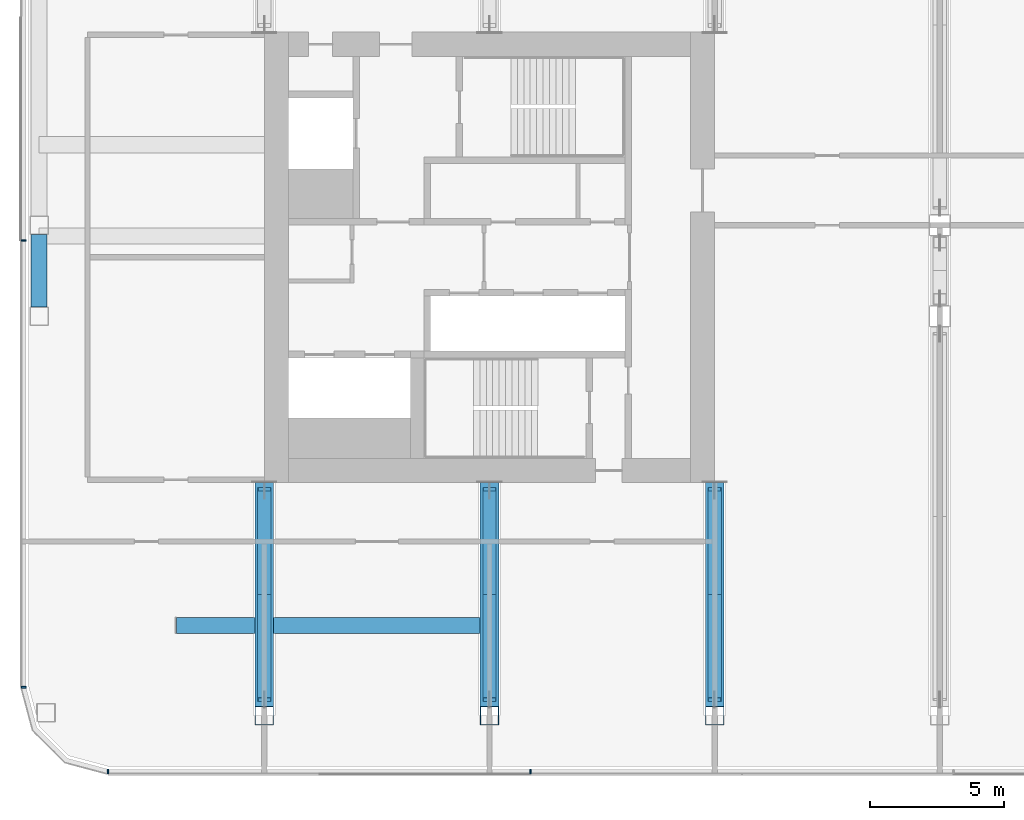
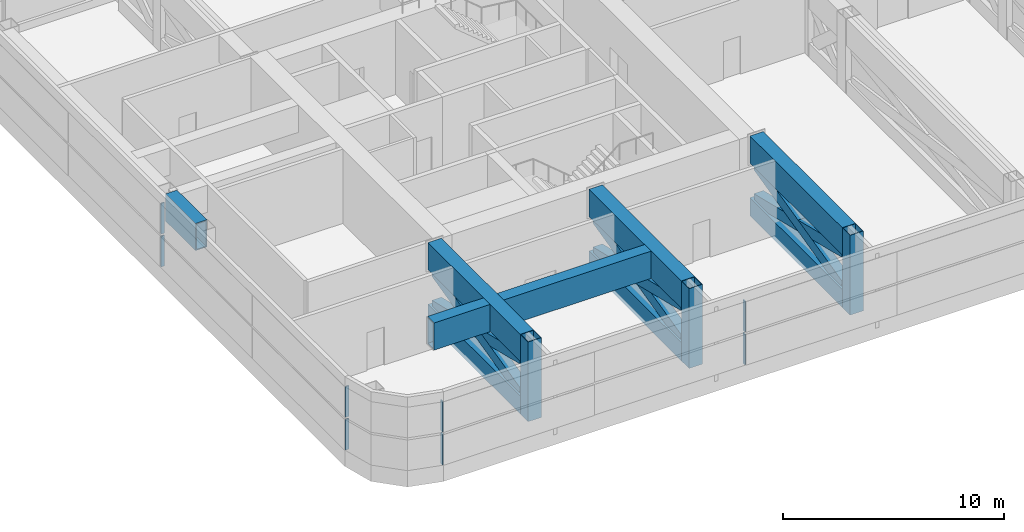
# One storey, part 2 of 33: 23 members, 2 beams, 2 elements without a shape of their own.
"""IFC4 building model written with IfcOpenShell, lengths in metres."""

from ifc_helpers import new_model, si_unit, direction, frame, origin, origin_2d, place, context, subcontext, project, spatial, rectangle, hollow_rectangle, extrude, material, layer, layer_set, material_profile, profile_set, type_object, element, aggregate, save


model = new_model("IFC4")

# Units and contexts
model_context = context("Model", 3, precision=1e-05, world=origin(), true_north=direction((0.0, 1.0)))
body_context = subcontext(model_context, "Body", "Model", "MODEL_VIEW")
ifc_project = project(units=[si_unit("LENGTHUNIT", "METRE"), si_unit("AREAUNIT", "SQUARE_METRE"), si_unit("VOLUMEUNIT", "CUBIC_METRE"), si_unit("PLANEANGLEUNIT", "RADIAN"), si_unit("MASSUNIT", "GRAM", prefix="KILO")], contexts=[model_context])

# Site, building, storey
site_placement = place(None, origin())
site = spatial("IfcSite", under=ifc_project, at=site_placement, CompositionType="ELEMENT")
building_placement = place(site_placement, origin())
building = spatial("IfcBuilding", under=site, at=building_placement, Name="Hakoniwa Tower and Hamabe Station Hall", CompositionType="ELEMENT")
storey_placement = place(building_placement, frame((0.0, 0.0, 175.800048828125)))
storey = spatial("IfcBuildingStorey", under=building, at=storey_placement, Name="L50", CompositionType="ELEMENT", Elevation=175.800048828125)

# Curtain wall, members
ifc_material_1 = material(Name="Dark low-e laminated glass", Category="glass")
ifc_layer = layer(ifc_material_1, 0.199951171875)
ifc_layer_set = layer_set([ifc_layer], Name="CW-6 PLANT LOUVRE")
curtain_wall_type = type_object("IfcCurtainWallType", Name="CW-6 PLANT LOUVRE", PredefinedType="NOTDEFINED", material=ifc_layer_set)
curtain_wall_1_placement = place(storey_placement, origin())
curtain_wall_1 = element("IfcCurtainWall", 1, at=curtain_wall_1_placement, inside=storey, type_object=curtain_wall_type, Name="CW-6 curtain wall", PredefinedType="NOTDEFINED")
ifc_material_2 = material(Name="Aluminium 6063-T5 black anodised", Category="aluminium")
ifc_material_profile_1 = material_profile(ifc_material_2, rectangle(XDim=0.06005859375, YDim=0.179931640625, at=origin_2d()), Name="CW-1 MULLION 60X180")
ifc_profile_set_1 = profile_set([ifc_material_profile_1], Name="Aluminium 6063-T5 black anodised")
member_type_1 = type_object("IfcMemberType", Name="CW-1 MULLION 60X180", PredefinedType="MULLION", material=ifc_profile_set_1)
member_1_placement = place(storey_placement, frame((-42.58203125, 0.625, 0.349853515625), z_axis=(0.0, 0.0, 1.0), x_axis=(0.0, -1.0, 0.0)))
member_1 = element("IfcMember", 2, at=member_1_placement, type_object=member_type_1, Name="CW-6 mullion", PredefinedType="MULLION", context=body_context, shape_type="SweptSolid", body=[
    extrude(rectangle(XDim=0.06005859375, YDim=0.179931640625, at=origin_2d()), origin(), (0.0, 0.0, 1.0), 1.690185546875),
])
member_2_placement = place(storey_placement, frame((-42.58203125, 0.625, 2.159912109375), z_axis=(0.0, 0.0, 1.0), x_axis=(0.0, -1.0, 0.0)))
member_2 = element("IfcMember", 3, at=member_2_placement, type_object=member_type_1, Name="CW-6 mullion", PredefinedType="MULLION", context=body_context, shape_type="SweptSolid", body=[
    extrude(rectangle(XDim=0.06005859375, YDim=0.179931640625, at=origin_2d()), origin(), (0.0, 0.0, 1.0), 1.68994140625),
])
member_3_placement = place(storey_placement, frame((-42.58203125, -16.03955078125, 0.349853515625), z_axis=(0.0, 0.0, 1.0), x_axis=(0.0, -1.0, 0.0)))
member_3 = element("IfcMember", 4, at=member_3_placement, type_object=member_type_1, Name="CW-6 mullion", PredefinedType="MULLION", context=body_context, shape_type="SweptSolid", body=[
    extrude(rectangle(XDim=0.06005859375, YDim=0.179931640625, at=origin_2d()), origin(), (0.0, 0.0, 1.0), 1.690185546875),
])
member_4_placement = place(storey_placement, frame((-42.58203125, -16.03955078125, 2.159912109375), z_axis=(0.0, 0.0, 1.0), x_axis=(0.0, -1.0, 0.0)))
member_4 = element("IfcMember", 5, at=member_4_placement, type_object=member_type_1, Name="CW-6 mullion", PredefinedType="MULLION", context=body_context, shape_type="SweptSolid", body=[
    extrude(rectangle(XDim=0.06005859375, YDim=0.179931640625, at=origin_2d()), origin(), (0.0, 0.0, 1.0), 1.68994140625),
])
aggregate(curtain_wall_1, [member_1, member_2, member_3, member_4])

curtain_wall_2_placement = place(storey_placement, origin())
curtain_wall_2 = element("IfcCurtainWall", 6, at=curtain_wall_2_placement, inside=storey, type_object=curtain_wall_type, Name="CW-6 curtain wall", PredefinedType="NOTDEFINED")
member_5_placement = place(storey_placement, frame((-39.439453125, -19.181884765625, 0.349853515625), z_axis=(0.0, 0.0, 1.0), x_axis=(1.0, 0.0, 0.0)))
member_5 = element("IfcMember", 7, at=member_5_placement, type_object=member_type_1, Name="CW-6 mullion", PredefinedType="MULLION", context=body_context, shape_type="SweptSolid", body=[
    extrude(rectangle(XDim=0.06005859375, YDim=0.179931640625, at=origin_2d()), origin(), (0.0, 0.0, 1.0), 1.690185546875),
])
member_6_placement = place(storey_placement, frame((-39.439453125, -19.181884765625, 2.159912109375), z_axis=(0.0, 0.0, 1.0), x_axis=(1.0, 0.0, 0.0)))
member_6 = element("IfcMember", 8, at=member_6_placement, type_object=member_type_1, Name="CW-6 mullion", PredefinedType="MULLION", context=body_context, shape_type="SweptSolid", body=[
    extrude(rectangle(XDim=0.06005859375, YDim=0.179931640625, at=origin_2d()), origin(), (0.0, 0.0, 1.0), 1.68994140625),
])
member_7_placement = place(storey_placement, frame((-23.663818359375, -19.181884765625, 0.349853515625), z_axis=(0.0, 0.0, 1.0), x_axis=(1.0, 0.0, 0.0)))
member_7 = element("IfcMember", 9, at=member_7_placement, type_object=member_type_1, Name="CW-6 mullion", PredefinedType="MULLION", context=body_context, shape_type="SweptSolid", body=[
    extrude(rectangle(XDim=0.06005859375, YDim=0.179931640625, at=origin_2d()), origin(), (0.0, 0.0, 1.0), 1.690185546875),
])
member_8_placement = place(storey_placement, frame((-23.663818359375, -19.181884765625, 2.159912109375), z_axis=(0.0, 0.0, 1.0), x_axis=(1.0, 0.0, 0.0)))
member_8 = element("IfcMember", 10, at=member_8_placement, type_object=member_type_1, Name="CW-6 mullion", PredefinedType="MULLION", context=body_context, shape_type="SweptSolid", body=[
    extrude(rectangle(XDim=0.06005859375, YDim=0.179931640625, at=origin_2d()), origin(), (0.0, 0.0, 1.0), 1.68994140625),
])
aggregate(curtain_wall_2, [member_5, member_6, member_7, member_8])

# Beams
ifc_material_3 = material(Name="Steel SN490C", Category="steel")
ifc_material_profile_2 = material_profile(ifc_material_3, hollow_rectangle(XDim=0.60009765625, YDim=1.5, WallThickness=0.054931640625, at=origin_2d()), Name="BX-1500x600x55")
ifc_profile_set_2 = profile_set([ifc_material_profile_2], Name="Steel SN490C")
beam_type = type_object("IfcBeamType", Name="TRANSFER GIRDER BX-1500x600x55", PredefinedType="BEAM", material=ifc_profile_set_2)
beam_1_placement = place(storey_placement, frame((-36.8779296875, -13.72802734375, 3.349853515625), z_axis=(1.0, 0.0, 0.0), x_axis=(0.0, 1.0, 0.0)))
element("IfcBeam", 11, at=beam_1_placement, inside=storey, type_object=beam_type, Name="Truss L50-XG1", PredefinedType="BEAM", context=body_context, shape_type="SweptSolid", body=[
    extrude(hollow_rectangle(XDim=0.60009765625, YDim=1.5, WallThickness=0.054931640625, at=origin_2d()), origin(), (0.0, 0.0, 1.0), 11.677978515625),
])
beam_2_placement = place(storey_placement, frame((-42.0, -1.85009765625, 3.349853515625), z_axis=(0.0, 1.0, 0.0), x_axis=(-1.0, 0.0, 0.0)))
element("IfcBeam", 12, at=beam_2_placement, inside=storey, type_object=beam_type, Name="Truss L50-EB1", PredefinedType="BEAM", context=body_context, shape_type="SweptSolid", body=[
    extrude(hollow_rectangle(XDim=0.60009765625, YDim=1.5, WallThickness=0.054931640625, at=origin_2d()), origin(), (0.0, 0.0, 1.0), 2.7001953125),
])

# Members
ifc_material_4 = material(Name="Steel SN490C", Category="steel")
ifc_material_profile_3 = material_profile(ifc_material_4, hollow_rectangle(XDim=0.699951171875, YDim=1.0, WallThickness=0.0400390625, at=origin_2d()), Name="BX-1000x700x40")
ifc_profile_set_3 = profile_set([ifc_material_profile_3], Name="Steel SN490C")
member_type_2 = type_object("IfcMemberType", Name="TRUSS CHORD BX-1000x700x40", PredefinedType="CHORD", material=ifc_profile_set_3)
for number, where, z_axis, x_axis, name in (
    (13, (-33.60009765625, -16.75, 0.199951171875), (0.0, 1.0, 0.0), (-1.0, 0.0, 0.0), "Truss T3-05-BC01"),
    (14, (-25.199951171875, -16.75, 0.199951171875), (0.0, 1.0, 0.0), (-1.0, 0.0, 0.0), "Truss T3-07-BC01"),
    (15, (-16.800048828125, -16.75, 0.199951171875), (0.0, 1.0, 0.0), (-1.0, 0.0, 0.0), "Truss T3-09-BC01"),
):
    element("IfcMember", number, at=place(storey_placement, frame(where, z_axis=z_axis, x_axis=x_axis)), inside=storey, type_object=member_type_2, Name=name, PredefinedType="CHORD", context=body_context, shape_type="SweptSolid", body=[
        extrude(hollow_rectangle(XDim=0.699951171875, YDim=1.0, WallThickness=0.0400390625, at=origin_2d()), origin(), (0.0, 0.0, 1.0), 8.35009765625),
    ])
ifc_material_5 = material(Name="Steel SN490C", Category="steel")
ifc_material_profile_4 = material_profile(ifc_material_5, hollow_rectangle(XDim=0.699951171875, YDim=1.5, WallThickness=0.054931640625, at=origin_2d()), Name="BX-1500x700x55")
ifc_profile_set_4 = profile_set([ifc_material_profile_4], Name="Steel SN490C")
member_type_3 = type_object("IfcMemberType", Name="TRUSS CHORD BX-1500x700x55", PredefinedType="CHORD", material=ifc_profile_set_4)
for number, where, z_axis, x_axis, name in (
    (16, (-33.60009765625, -16.75, 3.349853515625), (0.0, 1.0, 0.0), (-1.0, 0.0, 0.0), "Truss T3-05-TC01"),
    (17, (-25.199951171875, -16.75, 3.349853515625), (0.0, 1.0, 0.0), (-1.0, 0.0, 0.0), "Truss T3-07-TC01"),
    (18, (-16.800048828125, -16.75, 3.349853515625), (0.0, 1.0, 0.0), (-1.0, 0.0, 0.0), "Truss T3-09-TC01"),
):
    element("IfcMember", number, at=place(storey_placement, frame(where, z_axis=z_axis, x_axis=x_axis)), inside=storey, type_object=member_type_3, Name=name, PredefinedType="CHORD", context=body_context, shape_type="SweptSolid", body=[
        extrude(hollow_rectangle(XDim=0.699951171875, YDim=1.5, WallThickness=0.054931640625, at=origin_2d()), origin(), (0.0, 0.0, 1.0), 8.35009765625),
    ])
ifc_material_6 = material(Name="Steel SN490C", Category="steel")
ifc_material_profile_5 = material_profile(ifc_material_6, hollow_rectangle(XDim=0.5, YDim=0.60009765625, WallThickness=0.028076171875, at=origin_2d()), Name="BX-600x500x28")
ifc_profile_set_5 = profile_set([ifc_material_profile_5], Name="Steel SN490C")
member_type_4 = type_object("IfcMemberType", Name="TRUSS DIAGONAL BX-600x500x28", PredefinedType="BRACE", material=ifc_profile_set_5)
for number, where, z_axis, x_axis, name in (
    (19, (-33.60009765625, -16.5, 0.699951171875), (0.0, 0.97193938167, 0.235231456993), (-1.0, 0.0, 0.0), "Truss T3-05-D01a"),
    (20, (-33.60009765625, -16.5, 2.599853515625), (0.0, 0.97193938167, -0.235231456993), (-1.0, 0.0, 0.0), "Truss T3-05-D01b"),
    (21, (-25.199951171875, -16.5, 0.699951171875), (0.0, 0.97193938167, 0.235231456993), (-1.0, 0.0, 0.0), "Truss T3-07-D01a"),
    (22, (-25.199951171875, -16.5, 2.599853515625), (0.0, 0.97193938167, -0.235231456993), (-1.0, 0.0, 0.0), "Truss T3-07-D01b"),
    (23, (-16.800048828125, -16.5, 0.699951171875), (0.0, 0.97193938167, 0.235231456993), (-1.0, 0.0, 0.0), "Truss T3-09-D01a"),
    (24, (-16.800048828125, -16.5, 2.599853515625), (0.0, 0.97193938167, -0.235231456993), (-1.0, 0.0, 0.0), "Truss T3-09-D01b"),
):
    element("IfcMember", number, at=place(storey_placement, frame(where, z_axis=z_axis, x_axis=x_axis)), inside=storey, type_object=member_type_4, Name=name, PredefinedType="BRACE", context=body_context, shape_type="SweptSolid", body=[
        extrude(hollow_rectangle(XDim=0.5, YDim=0.60009765625, WallThickness=0.028076171875, at=origin_2d()), origin(), (0.0, 0.0, 1.0), 8.07666015625),
    ])
ifc_material_7 = material(Name="Steel SN490C", Category="steel")
ifc_material_profile_6 = material_profile(ifc_material_7, hollow_rectangle(XDim=0.699951171875, YDim=0.699951171875, WallThickness=0.028076171875, at=origin_2d()), Name="BX-700x700x28")
ifc_profile_set_6 = profile_set([ifc_material_profile_6], Name="Steel SN490C")
member_type_5 = type_object("IfcMemberType", Name="TRUSS POST BX-700x700x28", PredefinedType="POST", material=ifc_profile_set_6)
for number, where, z_axis, x_axis, name in (
    (25, (-33.60009765625, -17.10009765625, -0.300048828125), (0.0, 0.0, 1.0), (1.0, 0.0, 0.0), "Truss T3-05-P01"),
    (26, (-25.199951171875, -17.10009765625, -0.300048828125), (0.0, 0.0, 1.0), (1.0, 0.0, 0.0), "Truss T3-07-P01"),
    (27, (-16.800048828125, -17.10009765625, -0.300048828125), (0.0, 0.0, 1.0), (1.0, 0.0, 0.0), "Truss T3-09-P01"),
):
    element("IfcMember", number, at=place(storey_placement, frame(where, z_axis=z_axis, x_axis=x_axis)), inside=storey, type_object=member_type_5, Name=name, PredefinedType="POST", context=body_context, shape_type="SweptSolid", body=[
        extrude(hollow_rectangle(XDim=0.699951171875, YDim=0.699951171875, WallThickness=0.028076171875, at=origin_2d()), origin(), (0.0, 0.0, 1.0), 4.39990234375),
    ])

save(model, "model.ifc")
